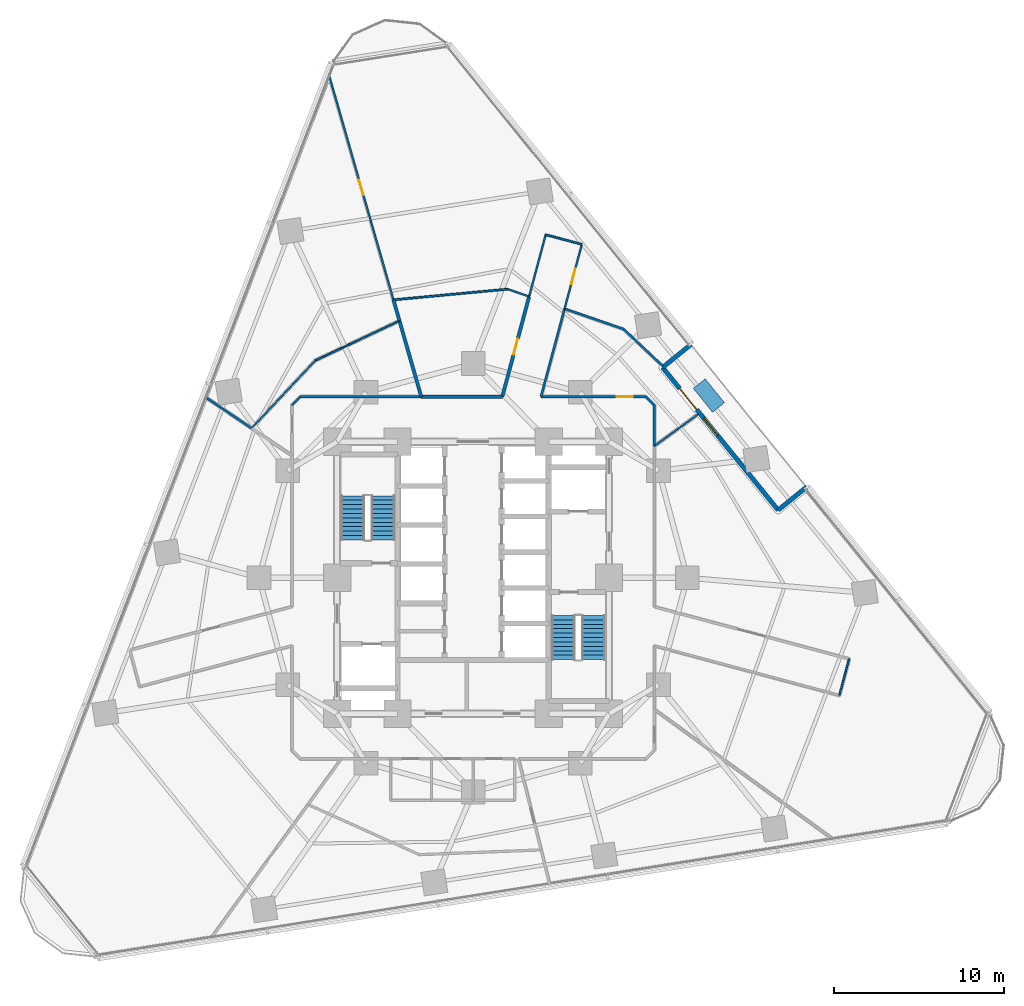
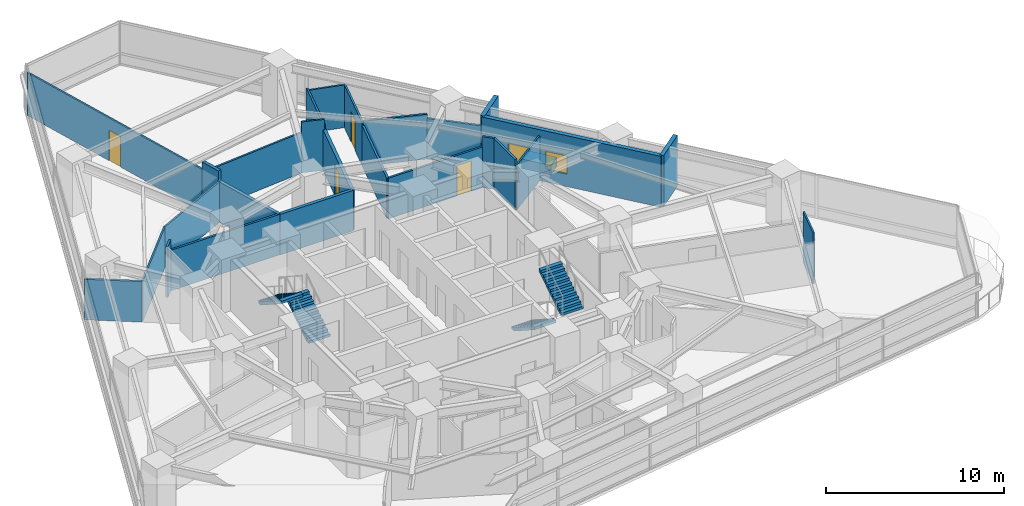
# One storey, part 9 of 14: 26 walls, 5 doors, 4 stair flights, 1 discrete accessory, 1 window, 6 openings, 2 elements without a shape of their own.
"""IFC4 building model written with IfcOpenShell, lengths in metres."""

from ifc_helpers import new_model, si_unit, direction, frame, frame_2d, origin, origin_2d, place, context, subcontext, project, spatial, polyline, rectangle, outline, extrude, material, layer, layer_set, type_object, element, fill, aggregate, save


model = new_model("IFC4")

# Units and contexts
model_context = context("Model", 3, precision=1e-05, world=origin(), true_north=direction((0.0, 1.0)))
body_context = subcontext(model_context, "Body", "Model", "MODEL_VIEW")
ifc_project = project(units=[si_unit("LENGTHUNIT", "METRE"), si_unit("AREAUNIT", "SQUARE_METRE"), si_unit("VOLUMEUNIT", "CUBIC_METRE"), si_unit("PLANEANGLEUNIT", "RADIAN"), si_unit("MASSUNIT", "GRAM", prefix="KILO")], contexts=[model_context])

# Site, building, storey
site_placement = place(None, origin())
site = spatial("IfcSite", under=ifc_project, at=site_placement, CompositionType="ELEMENT")
building_placement = place(site_placement, origin())
building = spatial("IfcBuilding", under=site, at=building_placement, Name="Terralouvre Media Tower", CompositionType="ELEMENT")
storey_placement = place(building_placement, frame((0.0, 0.0, 63.0)))
storey = spatial("IfcBuildingStorey", under=building, at=storey_placement, Name="L15", CompositionType="ELEMENT", Elevation=63.0)

# Walls
ifc_material_1 = material(Name="Low-iron laminated double glazing with solar-control coating", Category="glass")
ifc_layer_1 = layer(ifc_material_1, 0.10009765625, Name="Demountable Glazed Office Partition PT-GL100")
ifc_layer_set_1 = layer_set([ifc_layer_1], Name="Low-iron laminated double glazing with solar-control coating")
wall_type_1 = type_object("IfcWallType", Name="Demountable Glazed Office Partition PT-GL100", PredefinedType="MOVABLE", material=ifc_layer_set_1)
wall_1_placement = place(storey_placement, frame((21.544921875, -6.912109375, 0.0), z_axis=(0.0, 0.0, 1.0), x_axis=(0.259105843213, 0.965848933329, 0.0)))
element("IfcWall", 1, at=wall_1_placement, inside=storey, type_object=wall_type_1, Name="L15 Interior Partition 003", PredefinedType="MOVABLE", context=body_context, shape_type="SweptSolid", body=[
    extrude(rectangle(XDim=2.2001953125, YDim=0.10009765625, at=frame_2d((1.10009765625, 0.0))), origin(), (0.0, 0.0, 1.0), 3.5),
])
wall_2_placement = place(storey_placement, frame((13.260498046875, 9.634521484375, 0.0), z_axis=(0.0, 0.0, 1.0), x_axis=(-0.809050067095, -0.587739728906, 0.0)))
element("IfcWall", 2, at=wall_2_placement, inside=storey, type_object=wall_type_1, Name="L15 Interior Partition 032", PredefinedType="MOVABLE", context=body_context, shape_type="SweptSolid", body=[
    extrude(rectangle(XDim=3.226806640625, YDim=0.10009765625, at=frame_2d((1.61328125, 0.0))), origin(), (0.0, 0.0, 1.0), 3.0849609375),
])
wall_3_placement = place(storey_placement, frame((-13.0380859375, 8.794921875, 0.0), z_axis=(0.0, 0.0, 1.0), x_axis=(0.685214439986, 0.728341383716, 0.0)))
element("IfcWall", 3, at=wall_3_placement, inside=storey, type_object=wall_type_1, Name="L15 Interior Partition 056", PredefinedType="MOVABLE", context=body_context, shape_type="SweptSolid", body=[
    extrude(rectangle(XDim=5.47412109375, YDim=0.10009765625, at=frame_2d((2.737060546875, 0.0))), origin(), (0.0, 0.0, 1.0), 2.784912109375),
])
wall_4_placement = place(storey_placement, frame((-9.287109375, 12.781982421875, 0.0), z_axis=(0.0, 0.0, 1.0), x_axis=(0.904430294069, 0.4266214284, 0.0)))
element("IfcWall", 4, at=wall_4_placement, inside=storey, type_object=wall_type_1, Name="L15 Interior Partition 057", PredefinedType="MOVABLE", context=body_context, shape_type="SweptSolid", body=[
    extrude(rectangle(XDim=5.475341796875, YDim=0.10009765625, at=frame_2d((2.73779296875, 0.0))), origin(), (0.0, 0.0, 1.0), 2.784912109375),
])

# Wall, opening, door
ifc_material_2 = material(Name="Fire-rated gypsum board drywall partition")
ifc_layer_2 = layer(ifc_material_2, 0.199951171875, Name="Fire-Rated Shaft and Lobby Partition FW-200")
ifc_layer_set_2 = layer_set([ifc_layer_2], Name="Fire-rated gypsum board drywall partition")
wall_type_2 = type_object("IfcWallType", Name="Fire-Rated Shaft and Lobby Partition FW-200", PredefinedType="SOLIDWALL", material=ifc_layer_set_2)
wall_5_placement = place(storey_placement, frame((3.2939453125, 16.544921875, 0.0), z_axis=(0.0, 0.0, 1.0), x_axis=(-0.258710756328, -0.965954835673, 0.0)))
wall_5 = element("IfcWall", 5, at=wall_5_placement, inside=storey, type_object=wall_type_2, Name="L15 Interior Partition 020", PredefinedType="SOLIDWALL", context=body_context, shape_type="SweptSolid", body=[
    extrude(rectangle(XDim=6.102783203125, YDim=0.199951171875, at=frame_2d((3.05126953125, 0.0))), origin(), (0.0, 0.0, 1.0), 2.784912109375),
])
opening_1_placement = place(wall_5_placement, frame((2.576416015625, 0.0, 0.0)))
opening_1 = element("IfcOpeningElement", 6, at=opening_1_placement, cuts=wall_5, Name="Opening FD-02-95X210", PredefinedType="OPENING", context=body_context, shape_type="SweptSolid", body=[
    extrude(rectangle(XDim=0.949951171875, YDim=2.10009765625, at=frame_2d((0.47509765625, 1.050048828125))), frame((0.0, 0.10986328125, 0.0), z_axis=(0.0, -1.0, 0.0), x_axis=(1.0, 0.0, 0.0)), (0.0, 0.0, 1.0), 0.219970703125),
])
ifc_material_3 = material(Name="Galvanised steel fire-resisting leaf", Category="steel")
door_type_1 = type_object("IfcDoorType", Name="Plant and Riser Fire Door FD-02 (950x2100)", OperationType="NOTDEFINED", PredefinedType="DOOR", material=ifc_material_3)
door_1_placement = place(opening_1_placement, origin())
door_1 = element("IfcDoor", 7, at=door_1_placement, inside=storey, type_object=door_type_1, Name="L15 Render Cluster Server Room 5 Door", OperationType="SINGLE_SWING_RIGHT", OverallHeight=2.10009765625, OverallWidth=0.949951171875, PredefinedType="DOOR", context=body_context, shape_type="SweptSolid", body=[
    extrude(rectangle(XDim=0.949951171875, YDim=2.10009765625, at=frame_2d((0.47509765625, 1.050048828125))), frame((0.0, 0.02490234375, 0.0), z_axis=(0.0, -1.0, 0.0), x_axis=(1.0, 0.0, 0.0)), (0.0, 0.0, 1.0), 0.050048828125),
])
fill(opening_1, door_1)

# Walls
wall_6_placement = place(storey_placement, frame((1.715087890625, 10.64990234375, 0.0), z_axis=(0.0, 0.0, 1.0), x_axis=(-1.0, 0.0, 0.0)))
element("IfcWall", 8, at=wall_6_placement, inside=storey, type_object=wall_type_2, Name="L15 Interior Partition 021", PredefinedType="SOLIDWALL", context=body_context, shape_type="SweptSolid", body=[
    extrude(rectangle(XDim=4.76904296875, YDim=0.199951171875, at=frame_2d((2.384521484375, 0.0))), origin(), (0.0, 0.0, 1.0), 2.784912109375),
])
wall_7_placement = place(storey_placement, frame((-4.68896484375, 16.35107421875, 0.0), z_axis=(0.0, 0.0, 1.0), x_axis=(0.275927308223, -0.961178506094, 0.0)))
element("IfcWall", 9, at=wall_7_placement, inside=storey, type_object=wall_type_2, Name="L15 Interior Partition 043", PredefinedType="SOLIDWALL", context=body_context, shape_type="SweptSolid", body=[
    extrude(rectangle(XDim=1.282958984375, YDim=0.199951171875, at=frame_2d((0.6416015625, 0.0))), origin(), (0.0, 0.0, 1.0), 3.5),
])
wall_8_placement = place(storey_placement, frame((-4.3349609375, 15.117919921875, 0.0), z_axis=(0.0, 0.0, 1.0), x_axis=(0.275602055924, -0.961271817318, 0.0)))
element("IfcWall", 10, at=wall_8_placement, inside=storey, type_object=wall_type_2, Name="L15 Interior Partition 044", PredefinedType="SOLIDWALL", context=body_context, shape_type="SweptSolid", body=[
    extrude(rectangle(XDim=4.64794921875, YDim=0.199951171875, at=frame_2d((2.323974609375, 0.0))), origin(), (0.0, 0.0, 1.0), 2.784912109375),
])
ifc_material_4 = material(Name="Fire-rated gypsum board drywall partition")
ifc_layer_3 = layer(ifc_material_4, 0.135009765625, Name="Newsroom Acoustic Partition PT-135")
ifc_layer_set_3 = layer_set([ifc_layer_3], Name="Fire-rated gypsum board drywall partition")
wall_type_3 = type_object("IfcWallType", Name="Newsroom Acoustic Partition PT-135", PredefinedType="PARTITIONING", material=ifc_layer_set_3)
wall_9_placement = place(storey_placement, frame((10.64990234375, 7.738037109375, 0.0), z_axis=(0.0, 0.0, 1.0), x_axis=(0.0, 1.0, 0.0)))
element("IfcWall", 11, at=wall_9_placement, inside=storey, type_object=wall_type_3, Name="L15 Interior Partition 013", PredefinedType="PARTITIONING", context=body_context, shape_type="SweptSolid", body=[
    extrude(rectangle(XDim=2.411865234375, YDim=0.135009765625, at=frame_2d((1.2060546875, 0.0))), origin(), (0.0, 0.0, 1.0), 3.5),
])
wall_10_placement = place(storey_placement, frame((10.64990234375, 10.14990234375, 0.0), z_axis=(0.0, 0.0, 1.0), x_axis=(-0.707106781187, 0.707106781187, 0.0)))
element("IfcWall", 12, at=wall_10_placement, inside=storey, type_object=wall_type_3, Name="L15 Interior Partition 014", PredefinedType="PARTITIONING", context=body_context, shape_type="SweptSolid", body=[
    extrude(rectangle(XDim=0.70703125, YDim=0.135009765625, at=frame_2d((0.353515625, 0.0))), origin(), (0.0, 0.0, 1.0), 3.5),
])

# Wall, opening, door
wall_11_placement = place(storey_placement, frame((10.14990234375, 10.64990234375, 0.0), z_axis=(0.0, 0.0, 1.0), x_axis=(-1.0, 0.0, 0.0)))
wall_11 = element("IfcWall", 13, at=wall_11_placement, inside=storey, type_object=wall_type_3, Name="L15 Interior Partition 015", PredefinedType="PARTITIONING", context=body_context, shape_type="SweptSolid", body=[
    extrude(rectangle(XDim=6.157958984375, YDim=0.135009765625, at=frame_2d((3.0791015625, 0.0))), origin(), (0.0, 0.0, 1.0), 2.784912109375),
])
opening_2_placement = place(wall_11_placement, frame((0.756591796875, 0.0, 0.0)))
opening_2 = element("IfcOpeningElement", 14, at=opening_2_placement, cuts=wall_11, Name="Opening ID-02-95X210", PredefinedType="OPENING", context=body_context, shape_type="SweptSolid", body=[
    extrude(rectangle(XDim=0.949951171875, YDim=2.10009765625, at=frame_2d((0.47509765625, 1.050048828125))), frame((0.0, 0.077392578125, 0.0), z_axis=(0.0, -1.0, 0.0), x_axis=(1.0, 0.0, 0.0)), (0.0, 0.0, 1.0), 0.155029296875),
])
ifc_material_5 = material(Name="Engineered hardwood acoustic timber leaf", Category="wood")
door_type_2 = type_object("IfcDoorType", Name="Office and Meeting Room Door ID-02 (950x2100)", OperationType="NOTDEFINED", PredefinedType="DOOR", material=ifc_material_5)
door_2_placement = place(opening_2_placement, origin())
door_2 = element("IfcDoor", 15, at=door_2_placement, inside=storey, type_object=door_type_2, Name="L15 Staff Quiet Reading Club 3 Door", OperationType="SINGLE_SWING_RIGHT", OverallHeight=2.10009765625, OverallWidth=0.949951171875, PredefinedType="DOOR", context=body_context, shape_type="SweptSolid", body=[
    extrude(rectangle(XDim=0.949951171875, YDim=2.10009765625, at=frame_2d((0.47509765625, 1.050048828125))), frame((0.0, 0.02490234375, 0.0), z_axis=(0.0, -1.0, 0.0), x_axis=(1.0, 0.0, 0.0)), (0.0, 0.0, 1.0), 0.050048828125),
])
fill(opening_2, door_2)

# Walls
wall_12_placement = place(storey_placement, frame((3.991943359375, 10.64990234375, 0.0), z_axis=(0.0, 0.0, 1.0), x_axis=(0.258952377387, 0.965890090148, 0.0)))
element("IfcWall", 16, at=wall_12_placement, inside=storey, type_object=wall_type_3, Name="L15 Interior Partition 016", PredefinedType="PARTITIONING", context=body_context, shape_type="SweptSolid", body=[
    extrude(rectangle(XDim=5.35986328125, YDim=0.135009765625, at=frame_2d((2.679931640625, 0.0))), origin(), (0.0, 0.0, 1.0), 2.784912109375),
])
wall_13_placement = place(storey_placement, frame((-3.053955078125, 10.64990234375, 0.0), z_axis=(0.0, 0.0, 1.0), x_axis=(-1.0, 0.0, 0.0)))
element("IfcWall", 17, at=wall_13_placement, inside=storey, type_object=wall_type_3, Name="L15 Interior Partition 029", PredefinedType="PARTITIONING", context=body_context, shape_type="SweptSolid", body=[
    extrude(rectangle(XDim=7.095947265625, YDim=0.135009765625, at=frame_2d((3.5478515625, 0.0))), origin(), (0.0, 0.0, 1.0), 2.784912109375),
])
wall_14_placement = place(storey_placement, frame((-10.14990234375, 10.64990234375, 0.0), z_axis=(0.0, 0.0, 1.0), x_axis=(-0.707106781187, -0.707106781187, 0.0)))
element("IfcWall", 18, at=wall_14_placement, inside=storey, type_object=wall_type_3, Name="L15 Interior Partition 030", PredefinedType="PARTITIONING", context=body_context, shape_type="SweptSolid", body=[
    extrude(rectangle(XDim=0.70703125, YDim=0.135009765625, at=frame_2d((0.353515625, 0.0))), origin(), (0.0, 0.0, 1.0), 3.5),
])
wall_15_placement = place(storey_placement, frame((-13.0380859375, 8.794921875, 0.0), z_axis=(0.0, 0.0, 1.0), x_axis=(-0.829071326064, 0.559142858578, 0.0)))
element("IfcWall", 19, at=wall_15_placement, inside=storey, type_object=wall_type_3, Name="L15 Interior Partition 036", PredefinedType="PARTITIONING", context=body_context, shape_type="SweptSolid", body=[
    extrude(rectangle(XDim=3.278564453125, YDim=0.135009765625, at=frame_2d((1.63916015625, 0.0))), origin(), (0.0, 0.0, 1.0), 2.784912109375),
])
wall_16_placement = place(storey_placement, frame((11.14111328125, 12.470458984375, 0.0), z_axis=(0.0, 0.0, 1.0), x_axis=(-0.727348392084, 0.686268399777, 0.0)))
element("IfcWall", 20, at=wall_16_placement, inside=storey, type_object=wall_type_3, Name="L15 Interior Partition 038", PredefinedType="PARTITIONING", context=body_context, shape_type="SweptSolid", body=[
    extrude(rectangle(XDim=3.14990234375, YDim=0.135009765625, at=frame_2d((1.574951171875, 0.0))), origin(), (0.0, 0.0, 1.0), 2.784912109375),
])
wall_17_placement = place(storey_placement, frame((8.85009765625, 14.632080078125, 0.0), z_axis=(0.0, 0.0, 1.0), x_axis=(-0.945524159467, 0.325551937275, 0.0)))
element("IfcWall", 21, at=wall_17_placement, inside=storey, type_object=wall_type_3, Name="L15 Interior Partition 039", PredefinedType="PARTITIONING", context=body_context, shape_type="SweptSolid", body=[
    extrude(rectangle(XDim=3.670166015625, YDim=0.135009765625, at=frame_2d((1.8349609375, 0.0))), origin(), (0.0, 0.0, 1.0), 3.0849609375),
])

# Wall, openings, window, door
ifc_material_6 = material(Name="Kiln-fired architectural terracotta rainscreen cladding", Category="masonry")
ifc_layer_4 = layer(ifc_material_6, 0.260009765625, Name="Recessed Sky-Garden Acoustic Wall EW-SG260")
ifc_layer_set_4 = layer_set([ifc_layer_4], Name="Kiln-fired architectural terracotta rainscreen cladding")
wall_type_4 = type_object("IfcWallType", Name="Recessed Sky-Garden Acoustic Wall EW-SG260", PredefinedType="SOLIDWALL", material=ifc_layer_set_4)
wall_18_placement = place(storey_placement, frame((17.943359375, 3.978759765625, 0.0), z_axis=(0.0, 0.0, 1.0), x_axis=(-0.629312673468, 0.777152210968, 0.0)))
wall_18 = element("IfcWall", 22, at=wall_18_placement, inside=storey, type_object=wall_type_4, Name="L15 SG Recessed Loggia Back Wall", PredefinedType="SOLIDWALL", context=body_context, shape_type="SweptSolid", body=[
    extrude(rectangle(XDim=10.800048828125, YDim=0.260009765625, at=frame_2d((5.39990234375, 0.0))), origin(), (0.0, 0.0, 1.0), 3.5),
])
opening_3_placement = place(wall_18_placement, frame((7.60009765625, 0.0, 0.0)))
opening_3 = element("IfcOpeningElement", 23, at=opening_3_placement, cuts=wall_18, Name="Opening TD-01", PredefinedType="OPENING", context=body_context, shape_type="SweptSolid", body=[
    extrude(rectangle(XDim=1.60009765625, YDim=2.080078125, at=frame_2d((0.800048828125, 1.0400390625))), frame((0.0, 0.139892578125, 0.0), z_axis=(0.0, -1.0, 0.0), x_axis=(1.0, 0.0, 0.0)), (0.0, 0.0, 1.0), 0.280029296875),
])
opening_4_placement = place(wall_18_placement, frame((5.64990234375, 0.0, 0.85009765625)))
opening_4 = element("IfcOpeningElement", 24, at=opening_4_placement, cuts=wall_18, Name="Opening W-03", PredefinedType="OPENING", context=body_context, shape_type="SweptSolid", body=[
    extrude(rectangle(XDim=1.300048828125, YDim=1.25, at=frame_2d((0.64990234375, 0.625))), frame((0.0, 0.139892578125, 0.0), z_axis=(0.0, -1.0, 0.0), x_axis=(1.0, 0.0, 0.0)), (0.0, 0.0, 1.0), 0.280029296875),
])
ifc_material_7 = material(Name="Low-iron laminated double glazing with solar-control coating", Category="glass")
window_type = type_object("IfcWindowType", Name="Sky-Garden Loggia Window W-03", PartitioningType="SINGLE_PANEL", PredefinedType="WINDOW", material=ifc_material_7)
window_placement = place(opening_4_placement, origin())
window = element("IfcWindow", 25, at=window_placement, inside=storey, type_object=window_type, Name="L15 Pocket Loggia Window 1", OverallHeight=1.25, OverallWidth=1.300048828125, PartitioningType="SINGLE_PANEL", PredefinedType="WINDOW", context=body_context, shape_type="SweptSolid", body=[
    extrude(rectangle(XDim=1.300048828125, YDim=1.25, at=frame_2d((0.64990234375, 0.625))), frame((0.0, 0.030029296875, 0.0), z_axis=(0.0, -1.0, 0.0), x_axis=(1.0, 0.0, 0.0)), (0.0, 0.0, 1.0), 0.06005859375),
])
fill(opening_4, window)
ifc_material_8 = material(Name="Anodised extruded aluminium 6063-T6", Category="aluminium")
door_type_3 = type_object("IfcDoorType", Name="Sky-Garden Terrace Double Door TD-01", OperationType="DOUBLE_DOOR_SLIDING", PredefinedType="DOOR", material=ifc_material_8)
door_3_placement = place(opening_3_placement, frame((1.60009765625, 0.0, 0.0), z_axis=(0.0, 0.0, 1.0), x_axis=(-1.0, 0.0, 0.0)))
door_3 = element("IfcDoor", 26, at=door_3_placement, inside=storey, type_object=door_type_3, Name="L15 Sky-Garden Terrace Door", OperationType="DOUBLE_DOOR_SLIDING", OverallHeight=2.080078125, OverallWidth=1.60009765625, PredefinedType="DOOR", context=body_context, shape_type="SweptSolid", body=[
    extrude(rectangle(XDim=1.60009765625, YDim=2.080078125, at=frame_2d((0.800048828125, 1.0400390625))), frame((0.0, 0.02490234375, 0.0), z_axis=(0.0, -1.0, 0.0), x_axis=(1.0, 0.0, 0.0)), (0.0, 0.0, 1.0), 0.050048828125),
])
fill(opening_3, door_3)

# Walls
for number, where, z_axis, x_axis, name in (
    (27, (19.6142578125, 5.331787109375, 0.0), (0.0, 0.0, 1.0), (-0.77715495389, -0.629309286157, 0.0), "L15 SG Pocket Left Cheek Wall"),
    (28, (11.146728515625, 12.3720703125, 0.0), (0.0, 0.0, 1.0), (0.77715495389, 0.629309286157, 0.0), "L15 SG Pocket Right Cheek Wall"),
):
    element("IfcWall", number, at=place(storey_placement, frame(where, z_axis=z_axis, x_axis=x_axis)), inside=storey, type_object=wall_type_4, Name=name, PredefinedType="SOLIDWALL", context=body_context, shape_type="SweptSolid", body=[
        extrude(rectangle(XDim=2.14990234375, YDim=0.260009765625, at=frame_2d((1.074951171875, 0.0))), origin(), (0.0, 0.0, 1.0), 3.5),
    ])

# Wall, opening, door
ifc_material_9 = material(Name="Fire-rated gypsum board drywall partition")
ifc_layer_5 = layer(ifc_material_9, 0.114990234375, Name="Restroom and Pantry Partition PT-115")
ifc_layer_set_5 = layer_set([ifc_layer_5], Name="Fire-rated gypsum board drywall partition")
wall_type_5 = type_object("IfcWallType", Name="Restroom and Pantry Partition PT-115", PredefinedType="PARTITIONING", material=ifc_layer_set_5)
wall_19_placement = place(storey_placement, frame((5.3798828125, 15.826904296875, 0.0), z_axis=(0.0, 0.0, 1.0), x_axis=(0.258740236453, 0.965946939557, 0.0)))
wall_19 = element("IfcWall", 29, at=wall_19_placement, inside=storey, type_object=wall_type_5, Name="L15 Interior Partition 017", PredefinedType="PARTITIONING", context=body_context, shape_type="SweptSolid", body=[
    extrude(rectangle(XDim=3.919677734375, YDim=0.114990234375, at=frame_2d((1.9599609375, 0.0))), origin(), (0.0, 0.0, 1.0), 2.93505859375),
])
opening_5_placement = place(wall_19_placement, frame((1.484619140625, 0.0, 0.0)))
opening_5 = element("IfcOpeningElement", 30, at=opening_5_placement, cuts=wall_19, Name="Opening SD-01-95X210", PredefinedType="OPENING", context=body_context, shape_type="SweptSolid", body=[
    extrude(rectangle(XDim=0.949951171875, YDim=2.10009765625, at=frame_2d((0.47509765625, 1.050048828125))), frame((0.0, 0.0673828125, 0.0), z_axis=(0.0, -1.0, 0.0), x_axis=(1.0, 0.0, 0.0)), (0.0, 0.0, 1.0), 0.135009765625),
])
ifc_material_10 = material(Name="Anodised extruded aluminium 6063-T6", Category="aluminium")
door_type_4 = type_object("IfcDoorType", Name="Pantry Pocket Sliding Door SD-01 (950x2100)", OperationType="SLIDING_TO_LEFT", PredefinedType="DOOR", material=ifc_material_10)
door_4_placement = place(opening_5_placement, origin())
door_4 = element("IfcDoor", 31, at=door_4_placement, inside=storey, type_object=door_type_4, Name="L15 Barista Coffee Tea Pantry 4 Door", OperationType="SLIDING_TO_LEFT", OverallHeight=2.10009765625, OverallWidth=0.949951171875, PredefinedType="DOOR", context=body_context, shape_type="SweptSolid", body=[
    extrude(rectangle(XDim=0.949951171875, YDim=2.10009765625, at=frame_2d((0.47509765625, 1.050048828125))), frame((0.0, 0.02490234375, 0.0), z_axis=(0.0, -1.0, 0.0), x_axis=(1.0, 0.0, 0.0)), (0.0, 0.0, 1.0), 0.050048828125),
])
fill(opening_5, door_4)

# Walls
wall_20_placement = place(storey_placement, frame((6.39404296875, 19.613037109375, 0.0), z_axis=(0.0, 0.0, 1.0), x_axis=(-0.965848933329, 0.259105843213, 0.0)))
element("IfcWall", 32, at=wall_20_placement, inside=storey, type_object=wall_type_5, Name="L15 Interior Partition 018", PredefinedType="PARTITIONING", context=body_context, shape_type="SweptSolid", body=[
    extrude(rectangle(XDim=2.2001953125, YDim=0.114990234375, at=frame_2d((1.10009765625, 0.0))), origin(), (0.0, 0.0, 1.0), 2.93505859375),
])
wall_21_placement = place(storey_placement, frame((4.26904296875, 20.18310546875, 0.0), z_axis=(0.0, 0.0, 1.0), x_axis=(-0.258880798168, -0.965909277489, 0.0)))
element("IfcWall", 33, at=wall_21_placement, inside=storey, type_object=wall_type_5, Name="L15 Interior Partition 019", PredefinedType="PARTITIONING", context=body_context, shape_type="SweptSolid", body=[
    extrude(rectangle(XDim=3.7666015625, YDim=0.114990234375, at=frame_2d((1.88330078125, 0.0))), origin(), (0.0, 0.0, 1.0), 3.0849609375),
])
wall_22_placement = place(storey_placement, frame((-4.68896484375, 16.35107421875, 0.0), z_axis=(0.0, 0.0, 1.0), x_axis=(0.995667654368, 0.092983450384, 0.0)))
element("IfcWall", 34, at=wall_22_placement, inside=storey, type_object=wall_type_5, Name="L15 Interior Partition 040", PredefinedType="PARTITIONING", context=body_context, shape_type="SweptSolid", body=[
    extrude(rectangle(XDim=6.753173828125, YDim=0.114990234375, at=frame_2d((3.37646484375, 0.0))), origin(), (0.0, 0.0, 1.0), 2.784912109375),
])
wall_23_placement = place(storey_placement, frame((2.034912109375, 16.97900390625, 0.0), z_axis=(0.0, 0.0, 1.0), x_axis=(0.945388565789, -0.325945485742, 0.0)))
element("IfcWall", 35, at=wall_23_placement, inside=storey, type_object=wall_type_5, Name="L15 Interior Partition 041", PredefinedType="PARTITIONING", context=body_context, shape_type="SweptSolid", body=[
    extrude(rectangle(XDim=1.331787109375, YDim=0.114990234375, at=frame_2d((0.666015625, 0.0))), origin(), (0.0, 0.0, 1.0), 3.5),
])

# Wall, opening, door
wall_24_placement = place(storey_placement, frame((-8.4814453125, 29.57958984375, 0.0), z_axis=(0.0, 0.0, 1.0), x_axis=(0.275587979828, -0.961275852903, 0.0)))
wall_24 = element("IfcWall", 36, at=wall_24_placement, inside=storey, type_object=wall_type_5, Name="L15 Interior Partition 042", PredefinedType="PARTITIONING", context=body_context, shape_type="SweptSolid", body=[
    extrude(rectangle(XDim=13.761474609375, YDim=0.114990234375, at=frame_2d((6.880859375, 0.0))), origin(), (0.0, 0.0, 1.0), 2.93505859375),
])
opening_6_placement = place(wall_24_placement, frame((6.420654296875, 0.0, 0.0)))
opening_6 = element("IfcOpeningElement", 37, at=opening_6_placement, cuts=wall_24, Name="Opening ID-03-92X210", PredefinedType="OPENING", context=body_context, shape_type="SweptSolid", body=[
    extrude(rectangle(XDim=0.919921875, YDim=2.10009765625, at=frame_2d((0.4599609375, 1.050048828125))), frame((0.0, 0.0673828125, 0.0), z_axis=(0.0, -1.0, 0.0), x_axis=(1.0, 0.0, 0.0)), (0.0, 0.0, 1.0), 0.135009765625),
])
ifc_material_11 = material(Name="Engineered hardwood acoustic timber leaf", Category="wood")
door_type_5 = type_object("IfcDoorType", Name="Accessible Restroom and Suite Door ID-03 (920x2100)", OperationType="NOTDEFINED", PredefinedType="DOOR", material=ifc_material_11)
door_5_placement = place(opening_6_placement, origin())
door_5 = element("IfcDoor", 38, at=door_5_placement, inside=storey, type_object=door_type_5, Name="L15 Product Roadmap Huddle Room 9 Door", OperationType="SINGLE_SWING_RIGHT", OverallHeight=2.10009765625, OverallWidth=0.919921875, PredefinedType="DOOR", context=body_context, shape_type="SweptSolid", body=[
    extrude(rectangle(XDim=0.919921875, YDim=2.10009765625, at=frame_2d((0.4599609375, 1.050048828125))), frame((0.0, 0.02490234375, 0.0), z_axis=(0.0, -1.0, 0.0), x_axis=(1.0, 0.0, 0.0)), (0.0, 0.0, 1.0), 0.050048828125),
])
fill(opening_6, door_5)

# Stair, stair flights
ifc_material_12 = material(Name="Concrete C45/55", Category="concrete")
stair_type_1 = type_object("IfcStairType", Name="Dogleg Stair Assembly ST-01", PredefinedType="HALF_TURN_STAIR", material=ifc_material_12)
stair_1_placement = place(storey_placement, origin())
stair_1 = element("IfcStair", 39, at=stair_1_placement, inside=storey, type_object=stair_type_1, Name="L15 Core Pressurised Exit Stair ST-01", PredefinedType="HALF_TURN_STAIR")
ifc_material_13 = material(Name="Concrete C45/55", Category="concrete")
stair_flight_type = type_object("IfcStairFlightType", Name="Reinforced Concrete Stair Flight SF-RC1", PredefinedType="STRAIGHT", material=ifc_material_13)
stair_flight_1_placement = place(storey_placement, frame((-5.300048828125, 2.219970703125, 0.0), z_axis=(0.0, 0.0, 1.0), x_axis=(0.0, 1.0, 0.0)))
stair_flight_1 = element("IfcStairFlight", 40, at=stair_flight_1_placement, type_object=stair_flight_type, Name="ST-01 flight 1", NumberOfRisers=11, NumberOfTreads=10, PredefinedType="STRAIGHT", RiserHeight=0.168181818, TreadLength=0.26, context=body_context, shape_type="SweptSolid", body=[
    extrude(outline(polyline([(0.0, 0.0), (0.0, 0.168212890625), (0.260009765625, 0.168212890625), (0.260009765625, 0.33642578125), (0.52001953125, 0.33642578125), (0.52001953125, 0.504638671875), (0.780029296875, 0.504638671875), (0.780029296875, 0.672607421875), (1.0400390625, 0.672607421875), (1.0400390625, 0.8408203125), (1.300048828125, 0.8408203125), (1.300048828125, 1.009033203125), (1.56005859375, 1.009033203125), (1.56005859375, 1.17724609375), (1.820068359375, 1.17724609375), (1.820068359375, 1.345458984375), (2.080078125, 1.345458984375), (2.080078125, 1.513671875), (2.340087890625, 1.513671875), (2.340087890625, 1.681884765625), (2.60009765625, 1.681884765625), (2.60009765625, 1.85009765625), (2.60009765625, 1.503173828125), (0.27587890625, 0.0), (0.0, 0.0)])), frame((0.0, 0.699951171875, 0.0), z_axis=(0.0, -1.0, 0.0), x_axis=(1.0, 0.0, 0.0)), (0.0, 0.0, 1.0), 1.39990234375),
])
stair_flight_2_placement = place(storey_placement, frame((-7.080078125, 4.820068359375, 1.85009765625), z_axis=(0.0, 0.0, 1.0), x_axis=(0.0, -1.0, 0.0)))
stair_flight_2 = element("IfcStairFlight", 41, at=stair_flight_2_placement, type_object=stair_flight_type, Name="ST-01 flight 2", NumberOfRisers=11, NumberOfTreads=10, PredefinedType="STRAIGHT", RiserHeight=0.168181818, TreadLength=0.26, context=body_context, shape_type="SweptSolid", body=[
    extrude(outline(polyline([(0.0, 0.0), (0.0, 0.168212890625), (0.260009765625, 0.168212890625), (0.260009765625, 0.33642578125), (0.52001953125, 0.33642578125), (0.52001953125, 0.504638671875), (0.780029296875, 0.504638671875), (0.780029296875, 0.672607421875), (1.0400390625, 0.672607421875), (1.0400390625, 0.8408203125), (1.300048828125, 0.8408203125), (1.300048828125, 1.009033203125), (1.56005859375, 1.009033203125), (1.56005859375, 1.17724609375), (1.820068359375, 1.17724609375), (1.820068359375, 1.345458984375), (2.080078125, 1.345458984375), (2.080078125, 1.513671875), (2.340087890625, 1.513671875), (2.340087890625, 1.681884765625), (2.60009765625, 1.681884765625), (2.60009765625, 1.85009765625), (2.60009765625, 1.503173828125), (0.27587890625, 0.0), (0.0, 0.0)])), frame((0.0, 0.699951171875, 0.0), z_axis=(0.0, -1.0, 0.0), x_axis=(1.0, 0.0, 0.0)), (0.0, 0.0, 1.0), 1.39990234375),
])
aggregate(stair_1, [stair_flight_1, stair_flight_2])

ifc_material_14 = material(Name="Concrete C45/55", Category="concrete")
stair_type_2 = type_object("IfcStairType", Name="Dogleg Stair Assembly ST-02", PredefinedType="HALF_TURN_STAIR", material=ifc_material_14)
stair_2_placement = place(storey_placement, origin())
stair_2 = element("IfcStair", 42, at=stair_2_placement, inside=storey, type_object=stair_type_2, Name="L15 Core Pressurised Exit Stair ST-02", PredefinedType="HALF_TURN_STAIR")
stair_flight_3_placement = place(storey_placement, frame((5.300048828125, -2.219970703125, 0.0), z_axis=(0.0, 0.0, 1.0), x_axis=(0.0, -1.0, 0.0)))
stair_flight_3 = element("IfcStairFlight", 43, at=stair_flight_3_placement, type_object=stair_flight_type, Name="ST-02 flight 1", NumberOfRisers=11, NumberOfTreads=10, PredefinedType="STRAIGHT", RiserHeight=0.168181818, TreadLength=0.26, context=body_context, shape_type="SweptSolid", body=[
    extrude(outline(polyline([(0.0, 0.0), (0.0, 0.168212890625), (0.260009765625, 0.168212890625), (0.260009765625, 0.33642578125), (0.52001953125, 0.33642578125), (0.52001953125, 0.504638671875), (0.780029296875, 0.504638671875), (0.780029296875, 0.672607421875), (1.0400390625, 0.672607421875), (1.0400390625, 0.8408203125), (1.300048828125, 0.8408203125), (1.300048828125, 1.009033203125), (1.56005859375, 1.009033203125), (1.56005859375, 1.17724609375), (1.820068359375, 1.17724609375), (1.820068359375, 1.345458984375), (2.080078125, 1.345458984375), (2.080078125, 1.513671875), (2.340087890625, 1.513671875), (2.340087890625, 1.681884765625), (2.60009765625, 1.681884765625), (2.60009765625, 1.85009765625), (2.60009765625, 1.503173828125), (0.27587890625, 0.0), (0.0, 0.0)])), frame((0.0, 0.699951171875, 0.0), z_axis=(0.0, -1.0, 0.0), x_axis=(1.0, 0.0, 0.0)), (0.0, 0.0, 1.0), 1.39990234375),
])
stair_flight_4_placement = place(storey_placement, frame((7.080078125, -4.820068359375, 1.85009765625), z_axis=(0.0, 0.0, 1.0), x_axis=(0.0, 1.0, 0.0)))
stair_flight_4 = element("IfcStairFlight", 44, at=stair_flight_4_placement, type_object=stair_flight_type, Name="ST-02 flight 2", NumberOfRisers=11, NumberOfTreads=10, PredefinedType="STRAIGHT", RiserHeight=0.168181818, TreadLength=0.26, context=body_context, shape_type="SweptSolid", body=[
    extrude(outline(polyline([(0.0, 0.0), (0.0, 0.168212890625), (0.260009765625, 0.168212890625), (0.260009765625, 0.33642578125), (0.52001953125, 0.33642578125), (0.52001953125, 0.504638671875), (0.780029296875, 0.504638671875), (0.780029296875, 0.672607421875), (1.0400390625, 0.672607421875), (1.0400390625, 0.8408203125), (1.300048828125, 0.8408203125), (1.300048828125, 1.009033203125), (1.56005859375, 1.009033203125), (1.56005859375, 1.17724609375), (1.820068359375, 1.17724609375), (1.820068359375, 1.345458984375), (2.080078125, 1.345458984375), (2.080078125, 1.513671875), (2.340087890625, 1.513671875), (2.340087890625, 1.681884765625), (2.60009765625, 1.681884765625), (2.60009765625, 1.85009765625), (2.60009765625, 1.503173828125), (0.27587890625, 0.0), (0.0, 0.0)])), frame((0.0, 0.699951171875, 0.0), z_axis=(0.0, -1.0, 0.0), x_axis=(1.0, 0.0, 0.0)), (0.0, 0.0, 1.0), 1.39990234375),
])
aggregate(stair_2, [stair_flight_3, stair_flight_4])

# Discrete accessory
ifc_material_15 = material(Name="Kiln-fired architectural terracotta rainscreen cladding", Category="masonry")
discrete_accessory_type = type_object("IfcDiscreteAccessoryType", Name="Planted Tropical Garden Bed Planter PLT-01", PredefinedType="USERDEFINED", material=ifc_material_15)
discrete_accessory_placement = place(storey_placement, frame((13.8701171875, 10.717041015625, -0.0048828125), z_axis=(0.0, 0.0, 1.0), x_axis=(-0.629320136024, 0.777146167973, 0.0)))
element("IfcDiscreteAccessory", 45, at=discrete_accessory_placement, inside=storey, type_object=discrete_accessory_type, Name="L15 SG Planted Garden Bed Planter", ObjectType="PLANTER", PredefinedType="USERDEFINED", context=body_context, shape_type="SweptSolid", body=[
    extrude(rectangle(XDim=1.800048828125, YDim=0.89990234375, at=origin_2d()), origin(), (0.0, 0.0, 1.0), 0.64990234375),
])

save(model, "model.ifc")
